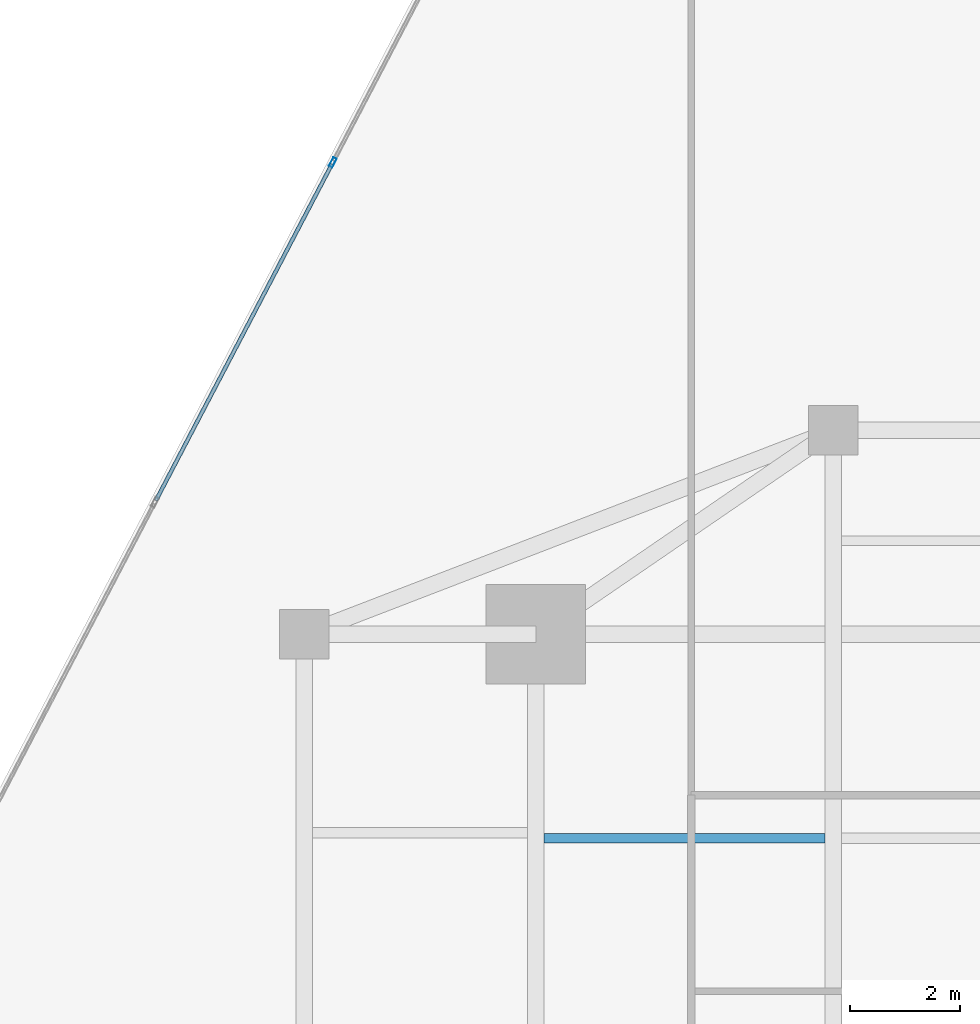
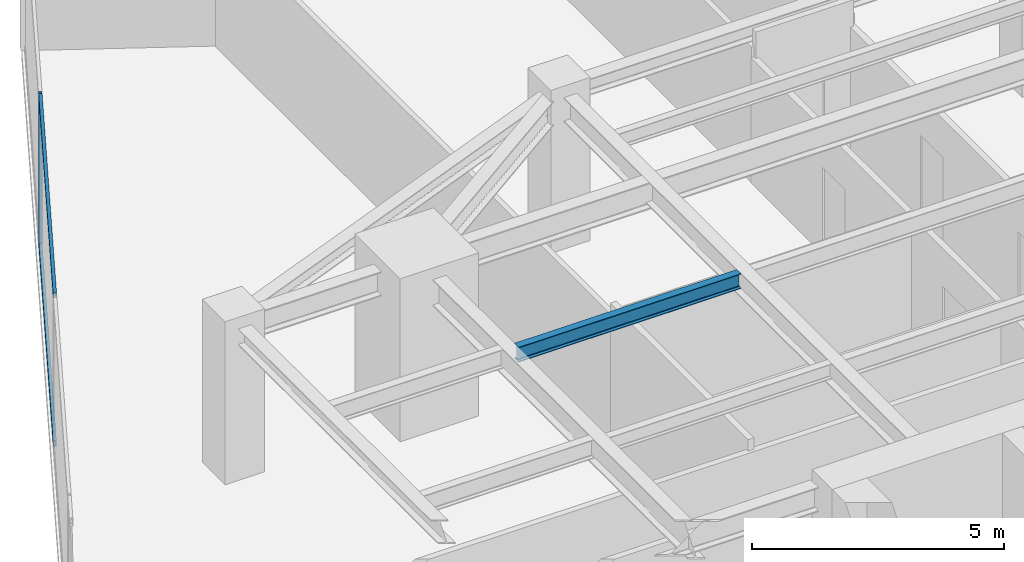
# One storey, part 14 of 27: 3 members, 1 beam, 1 element without a shape of its own.
"""IFC4 building model written with IfcOpenShell, lengths in metres."""

from ifc_helpers import new_model, si_unit, direction, frame, origin, origin_2d, place, context, subcontext, project, spatial, hollow_rectangle, i_section, extrude, source, transform, mapped, material, material_profile, profile_set, type_object, type_shapes, element, aggregate, save


model = new_model("IFC4")

# Units and contexts
model_context = context("Model", 3, precision=1e-05, world=origin(), true_north=direction((0.0, 1.0)))
body_context = subcontext(model_context, "Body", "Model", "MODEL_VIEW")
ifc_project = project(units=[si_unit("LENGTHUNIT", "METRE"), si_unit("AREAUNIT", "SQUARE_METRE"), si_unit("VOLUMEUNIT", "CUBIC_METRE"), si_unit("PLANEANGLEUNIT", "RADIAN"), si_unit("MASSUNIT", "GRAM", prefix="KILO")], contexts=[model_context])

# Site, building, storey
site_placement = place(None, origin())
site = spatial("IfcSite", under=ifc_project, at=site_placement, CompositionType="ELEMENT")
building_placement = place(site_placement, origin())
building = spatial("IfcBuilding", under=site, at=building_placement, Name="Krantzveldt Concourse Tower", CompositionType="ELEMENT")
storey_placement = place(building_placement, frame((0.0, 0.0, 158.050048828125)))
storey = spatial("IfcBuildingStorey", under=building, at=storey_placement, Name="L38", CompositionType="ELEMENT", Elevation=158.050048828125)

# Beam
ifc_material_1 = material(Name="Steel S355JR", Category="steel")
ifc_material_profile_1 = material_profile(ifc_material_1, i_section(OverallWidth=0.169921875, OverallDepth=0.360107421875, WebThickness=0.008056640625, FlangeThickness=0.0126953125, FilletRadius=0.01806640625, at=origin_2d()), Name="Steel S355JR", Category="steel")
ifc_profile_set_1 = profile_set([ifc_material_profile_1], Name="Steel S355JR - IPE 360")
beam_type = type_object("IfcBeamType", Name="BM-J-IPE360", PredefinedType="JOIST", material=ifc_profile_set_1)
shared_shape_1 = source(origin(), body_context, "Body", "SweptSolid", [
    extrude(i_section(OverallWidth=0.169921875, OverallDepth=0.360107421875, WebThickness=0.008056640625, FlangeThickness=0.0126953125, FilletRadius=0.01806640625, at=origin_2d()), origin(), (0.0, 0.0, 1.0), 5.099853515625),
])
type_shapes(beam_type, [shared_shape_1])
beam_placement = place(storey_placement, frame((25.35009765625, 33.800048828125, 3.489990234375), z_axis=(1.0, 0.0, 0.0), x_axis=(0.0, 1.0, 0.0)))
element("IfcBeam", 1, at=beam_placement, inside=storey, type_object=beam_type, Name="L38 Secondary Floor Joist JN-W2", PredefinedType="JOIST", context=body_context, shape_type="MappedRepresentation", body=[
    mapped(shared_shape_1, transform((0.0, 0.0, 0.0), x_axis=(1.0, 0.0, 0.0), y_axis=(0.0, 1.0, 0.0), z_axis=(0.0, 0.0, 1.0), scale=1.0)),
])

# Curtain wall, members
ifc_material_2 = material(Name="Anodised aluminium 6063-T6", Category="aluminium")
curtain_wall_type = type_object("IfcCurtainWallType", Name="CW3", PredefinedType="USERDEFINED", material=ifc_material_2)
curtain_wall_placement = place(storey_placement, origin())
curtain_wall = element("IfcCurtainWall", 2, at=curtain_wall_placement, inside=storey, type_object=curtain_wall_type, Name="CW-L38-F01", ObjectType="UNITISED CURTAIN WALL", PredefinedType="USERDEFINED")
ifc_material_profile_2 = material_profile(ifc_material_2, hollow_rectangle(XDim=0.070068359375, YDim=0.179931640625, WallThickness=0.0048828125, at=origin_2d()), Name="Anodised aluminium 6063-T6", Category="aluminium")
ifc_profile_set_2 = profile_set([ifc_material_profile_2], Name="Anodised aluminium 6063-T6 - ALU-MULL 180x70x5")
member_type_1 = type_object("IfcMemberType", Name="CW-MUL-180", PredefinedType="MULLION", material=ifc_profile_set_2)
shared_shape_2 = source(origin(), body_context, "Body", "SweptSolid", [
    extrude(hollow_rectangle(XDim=0.070068359375, YDim=0.179931640625, WallThickness=0.0048828125, at=origin_2d()), origin(), (0.0, 0.0, 1.0), 3.669921875),
])
type_shapes(member_type_1, [shared_shape_2])
member_1_placement = place(storey_placement, frame((21.51708984375, 46.062744140625, 0.0), z_axis=(0.0, 0.0, 1.0), x_axis=(0.886001265743, -0.463682819502, 0.0)))
member_1 = element("IfcMember", 3, at=member_1_placement, type_object=member_type_1, Name="CW-Z34 mullion 2", PredefinedType="MULLION", context=body_context, shape_type="MappedRepresentation", body=[
    mapped(shared_shape_2, transform((0.0, 0.0, 0.0), x_axis=(1.0, 0.0, 0.0), y_axis=(0.0, 1.0, 0.0), z_axis=(0.0, 0.0, 1.0), scale=1.0)),
])
ifc_material_profile_3 = material_profile(ifc_material_2, hollow_rectangle(XDim=0.070068359375, YDim=0.139892578125, WallThickness=0.0048828125, at=origin_2d()), Name="Anodised aluminium 6063-T6", Category="aluminium")
ifc_profile_set_3 = profile_set([ifc_material_profile_3], Name="Anodised aluminium 6063-T6 - ALU-TRAN 140x70x5")
member_type_2 = type_object("IfcMemberType", Name="CW-TRN-150", PredefinedType="USERDEFINED", material=ifc_profile_set_3)
shared_shape_3 = source(origin(), body_context, "Body", "SweptSolid", [
    extrude(hollow_rectangle(XDim=0.070068359375, YDim=0.139892578125, WallThickness=0.0048828125, at=origin_2d()), origin(), (0.0, 0.0, 1.0), 6.889892578125),
])
type_shapes(member_type_2, [shared_shape_3])
member_2_placement = place(storey_placement, frame((21.5009765625, 46.03173828125, 0.034912109375), z_axis=(-0.46369184059, -0.885996544559, 0.0), x_axis=(0.885996544559, -0.46369184059, 0.0)))
member_2 = element("IfcMember", 4, at=member_2_placement, type_object=member_type_2, Name="CW-Z34 transom 2.1", ObjectType="TRANSOM", PredefinedType="USERDEFINED", context=body_context, shape_type="MappedRepresentation", body=[
    mapped(shared_shape_3, transform((0.0, 0.0, 0.0), x_axis=(1.0, 0.0, 0.0), y_axis=(0.0, 1.0, 0.0), z_axis=(0.0, 0.0, 1.0), scale=1.0)),
])
member_3_placement = place(storey_placement, frame((21.5009765625, 46.03173828125, 3.635009765625), z_axis=(-0.46369184059, -0.885996544559, 0.0), x_axis=(0.885996544559, -0.46369184059, 0.0)))
member_3 = element("IfcMember", 5, at=member_3_placement, type_object=member_type_2, Name="CW-Z34 transom 2.2", ObjectType="TRANSOM", PredefinedType="USERDEFINED", context=body_context, shape_type="MappedRepresentation", body=[
    mapped(shared_shape_3, transform((0.0, 0.0, 0.0), x_axis=(1.0, 0.0, 0.0), y_axis=(0.0, 1.0, 0.0), z_axis=(0.0, 0.0, 1.0), scale=1.0)),
])
aggregate(curtain_wall, [member_1, member_2, member_3])

save(model, "model.ifc")
